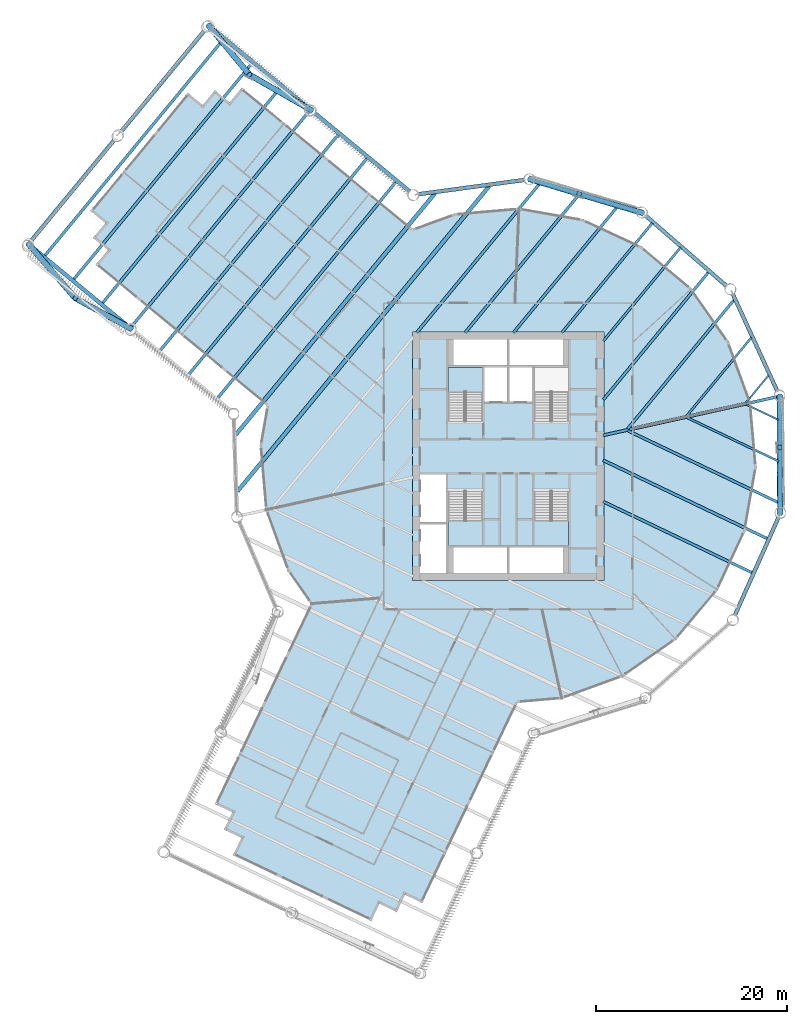
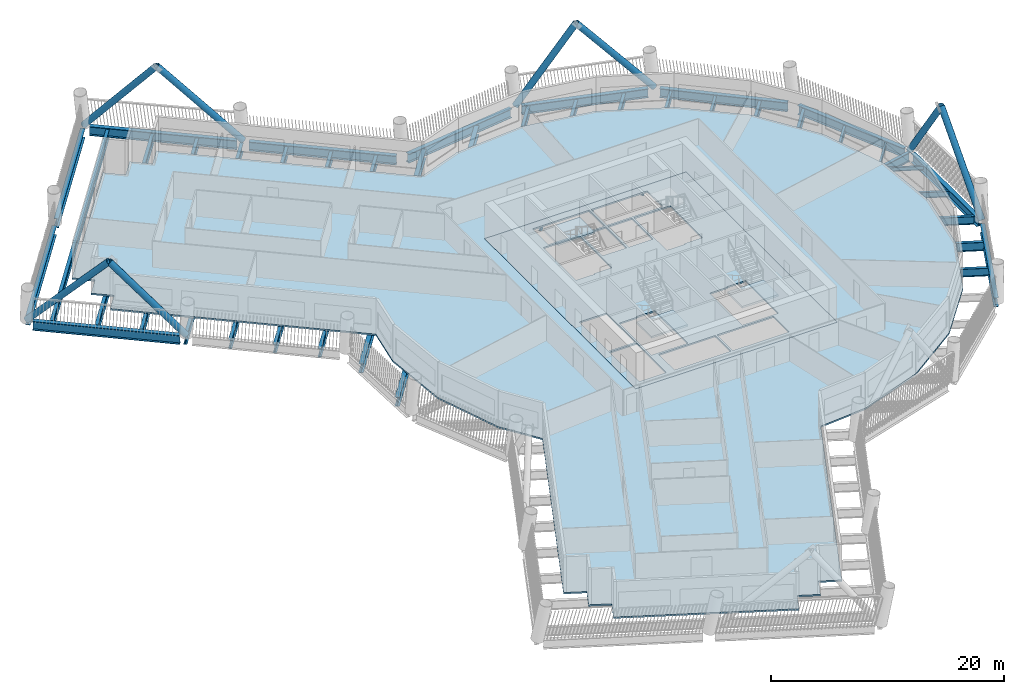
# One storey, part 2 of 22: 35 beams, 8 members, 5 slabs, 3 elements without a shape of their own.
"""IFC4 building model written with IfcOpenShell, lengths in metres."""

from ifc_helpers import new_model, si_unit, direction, frame, origin, origin_2d, place, context, subcontext, project, spatial, polyline, hollow_circle, i_section, outline, extrude, material, layer, layer_set, material_profile, profile_set, type_object, element, aggregate, save


model = new_model("IFC4")

# Units and contexts
model_context = context("Model", 3, precision=1e-05, world=origin(), true_north=direction((0.0, 1.0)))
body_context = subcontext(model_context, "Body", "Model", "MODEL_VIEW")
ifc_project = project(units=[si_unit("LENGTHUNIT", "METRE"), si_unit("AREAUNIT", "SQUARE_METRE"), si_unit("VOLUMEUNIT", "CUBIC_METRE"), si_unit("PLANEANGLEUNIT", "RADIAN"), si_unit("MASSUNIT", "GRAM", prefix="KILO")], contexts=[model_context])

# Site, building, storey
site_placement = place(None, origin())
site = spatial("IfcSite", under=ifc_project, at=site_placement, CompositionType="ELEMENT")
building_placement = place(site_placement, origin())
building = spatial("IfcBuilding", under=site, at=building_placement, Name="Tarsis Ring Headquarters", CompositionType="ELEMENT")
storey_placement = place(building_placement, frame((0.0, 0.0, 108.39990234375)))
storey = spatial("IfcBuildingStorey", under=building, at=storey_placement, Name="L24", CompositionType="ELEMENT", Elevation=108.39990234375)

# Beams
ifc_material_1 = material(Name="Structural steel S355", Category="steel")
ifc_material_profile_1 = material_profile(ifc_material_1, i_section(OverallWidth=0.177734375, OverallDepth=0.406494140625, WebThickness=0.0078125, FlangeThickness=0.0126953125, at=origin_2d()), Name="W16x40")
ifc_profile_set_1 = profile_set([ifc_material_profile_1], Name="Structural steel S355")
beam_type_1 = type_object("IfcBeamType", Name="FB Floor beam W16x40", PredefinedType="JOIST", material=ifc_profile_set_1)
beam_1_placement = place(storey_placement, frame((24.876708984375, 5.410400390625, -0.363037109375), z_axis=(0.902434341052, -0.430827413345, 0.0), x_axis=(0.430827413345, 0.902434341052, 0.0)))
element("IfcBeam", 1, at=beam_1_placement, inside=storey, type_object=beam_type_1, Name="Floor beam FB1", PredefinedType="JOIST", context=body_context, shape_type="SweptSolid", body=[
    extrude(i_section(OverallWidth=0.177734375, OverallDepth=0.406494140625, WebThickness=0.0078125, FlangeThickness=0.0126953125, at=origin_2d()), origin(), (0.0, 0.0, 1.0), 3.74169921875),
])
beam_2_placement = place(storey_placement, frame((27.217529296875, 8.47900390625, -0.363037109375), z_axis=(-0.636345102078, -0.771404505472, 0.0), x_axis=(0.771404505472, -0.636345102078, 0.0)))
element("IfcBeam", 2, at=beam_2_placement, inside=storey, type_object=beam_type_1, Name="Floor beam FB1", PredefinedType="JOIST", context=body_context, shape_type="SweptSolid", body=[
    extrude(i_section(OverallWidth=0.177734375, OverallDepth=0.406494140625, WebThickness=0.0078125, FlangeThickness=0.0126953125, at=origin_2d()), origin(), (0.0, 0.0, 1.0), 3.741943359375),
])
ifc_material_profile_2 = material_profile(ifc_material_1, i_section(OverallWidth=0.228271484375, OverallDepth=0.607177734375, WebThickness=0.01123046875, FlangeThickness=0.017333984375, at=origin_2d()), Name="W24x76")
ifc_profile_set_2 = profile_set([ifc_material_profile_2], Name="Structural steel S355")
beam_type_2 = type_object("IfcBeamType", Name="FB Floor beam W24x76", PredefinedType="JOIST", material=ifc_profile_set_2)
for number, where, z_axis, x_axis, name in (
    (3, (18.69189453125, 4.04150390625, -0.46337890625), (0.902433919119, -0.430828297148, 0.0), (0.430828297148, 0.902433919119, 0.0), "Floor beam FB4"),
    (4, (25.41015625, 12.4169921875, -0.46337890625), (-0.636341922893, -0.771407128026, 0.0), (0.771407128026, -0.636341922893, 0.0), "Floor beam FB4"),
):
    element("IfcBeam", number, at=place(storey_placement, frame(where, z_axis=z_axis, x_axis=x_axis)), inside=storey, type_object=beam_type_2, Name=name, PredefinedType="JOIST", context=body_context, shape_type="SweptSolid", body=[
        extrude(i_section(OverallWidth=0.228271484375, OverallDepth=0.607177734375, WebThickness=0.01123046875, FlangeThickness=0.017333984375, at=origin_2d()), origin(), (0.0, 0.0, 1.0), 10.621337890625),
    ])
ifc_material_profile_3 = material_profile(ifc_material_1, i_section(OverallWidth=0.2529296875, OverallDepth=0.67822265625, WebThickness=0.01171875, FlangeThickness=0.016357421875, at=origin_2d()), Name="W27x84")
ifc_profile_set_3 = profile_set([ifc_material_profile_3], Name="Structural steel S355")
beam_type_3 = type_object("IfcBeamType", Name="FB Floor beam W27x84", PredefinedType="JOIST", material=ifc_profile_set_3)
beam_3_placement = place(storey_placement, frame((18.004150390625, 21.8251953125, -0.4990234375), z_axis=(-0.636352304208, -0.771398564252, 0.0), x_axis=(0.771398564252, -0.636352304208, 0.0)))
element("IfcBeam", 5, at=beam_3_placement, inside=storey, type_object=beam_type_3, Name="Floor beam FB5", PredefinedType="JOIST", context=body_context, shape_type="SweptSolid", body=[
    extrude(i_section(OverallWidth=0.2529296875, OverallDepth=0.67822265625, WebThickness=0.01171875, FlangeThickness=0.016357421875, at=origin_2d()), origin(), (0.0, 0.0, 1.0), 12.67822265625),
])
ifc_material_profile_4 = material_profile(ifc_material_1, i_section(OverallWidth=0.2666015625, OverallDepth=0.7568359375, WebThickness=0.013916015625, FlangeThickness=0.019287109375, at=origin_2d()), Name="W30x108")
ifc_profile_set_4 = profile_set([ifc_material_profile_4], Name="Structural steel S355")
beam_type_4 = type_object("IfcBeamType", Name="FB Floor beam W30x108", PredefinedType="JOIST", material=ifc_profile_set_4)
beam_4_placement = place(storey_placement, frame((15.06005859375, 24.385009765625, -0.538330078125), z_axis=(-0.636344581083, -0.771404935249, 0.0), x_axis=(0.771404935249, -0.636344581083, 0.0)))
element("IfcBeam", 6, at=beam_4_placement, inside=storey, type_object=beam_type_4, Name="Floor beam FB6", PredefinedType="JOIST", context=body_context, shape_type="SweptSolid", body=[
    extrude(i_section(OverallWidth=0.2666015625, OverallDepth=0.7568359375, WebThickness=0.013916015625, FlangeThickness=0.019287109375, at=origin_2d()), origin(), (0.0, 0.0, 1.0), 14.85888671875),
])
ifc_material_profile_5 = material_profile(ifc_material_1, i_section(OverallWidth=0.2919921875, OverallDepth=0.835693359375, WebThickness=0.013916015625, FlangeThickness=0.018798828125, at=origin_2d()), Name="W33x118")
ifc_profile_set_5 = profile_set([ifc_material_profile_5], Name="Structural steel S355")
beam_type_5 = type_object("IfcBeamType", Name="FB Floor beam W33x118", PredefinedType="JOIST", material=ifc_profile_set_5)
beam_5_placement = place(storey_placement, frame((12.5068359375, 2.67236328125, -0.57763671875), z_axis=(0.90243925268, -0.430817125033, 0.0), x_axis=(0.430817125033, 0.90243925268, 0.0)))
element("IfcBeam", 7, at=beam_5_placement, inside=storey, type_object=beam_type_5, Name="Floor beam FB7", PredefinedType="JOIST", context=body_context, shape_type="SweptSolid", body=[
    extrude(i_section(OverallWidth=0.2919921875, OverallDepth=0.835693359375, WebThickness=0.013916015625, FlangeThickness=0.018798828125, at=origin_2d()), origin(), (0.0, 0.0, 1.0), 17.50048828125),
])
beam_6_placement = place(storey_placement, frame((9.90966796875, -4.73095703125, -0.57763671875), z_axis=(0.902432566249, -0.430831130923, 0.0), x_axis=(0.430831130923, 0.902432566249, 0.0)))
element("IfcBeam", 8, at=beam_6_placement, inside=storey, type_object=beam_type_5, Name="Floor beam FB7", PredefinedType="JOIST", context=body_context, shape_type="SweptSolid", body=[
    extrude(i_section(OverallWidth=0.2919921875, OverallDepth=0.835693359375, WebThickness=0.013916015625, FlangeThickness=0.018798828125, at=origin_2d()), origin(), (0.0, 0.0, 1.0), 17.311767578125),
])
beam_7_placement = place(storey_placement, frame((23.60302734375, 16.35498046875, -0.57763671875), z_axis=(-0.63634124315, -0.771407688753, 0.0), x_axis=(0.771407688753, -0.63634124315, 0.0)))
element("IfcBeam", 9, at=beam_7_placement, inside=storey, type_object=beam_type_5, Name="Floor beam FB7", PredefinedType="JOIST", context=body_context, shape_type="SweptSolid", body=[
    extrude(i_section(OverallWidth=0.2919921875, OverallDepth=0.835693359375, WebThickness=0.013916015625, FlangeThickness=0.018798828125, at=origin_2d()), origin(), (0.0, 0.0, 1.0), 17.500732421875),
])
beam_8_placement = place(storey_placement, frame((20.9482421875, 19.265380859375, -0.57763671875), z_axis=(-0.636353363169, -0.771397690678, 0.0), x_axis=(0.771397690678, -0.636353363169, 0.0)))
element("IfcBeam", 10, at=beam_8_placement, inside=storey, type_object=beam_type_5, Name="Floor beam FB7", PredefinedType="JOIST", context=body_context, shape_type="SweptSolid", body=[
    extrude(i_section(OverallWidth=0.2919921875, OverallDepth=0.835693359375, WebThickness=0.013916015625, FlangeThickness=0.018798828125, at=origin_2d()), origin(), (0.0, 0.0, 1.0), 17.3046875),
])
beam_9_placement = place(storey_placement, frame((11.417236328125, 26.09765625, -0.57763671875), z_axis=(-0.636354886042, -0.771396434404, 0.0), x_axis=(0.771396434404, -0.636354886042, 0.0)))
element("IfcBeam", 11, at=beam_9_placement, inside=storey, type_object=beam_type_5, Name="Floor beam FB7", PredefinedType="JOIST", context=body_context, shape_type="SweptSolid", body=[
    extrude(i_section(OverallWidth=0.2919921875, OverallDepth=0.835693359375, WebThickness=0.013916015625, FlangeThickness=0.018798828125, at=origin_2d()), origin(), (0.0, 0.0, 1.0), 17.0791015625),
])
ifc_material_profile_6 = material_profile(ifc_material_1, i_section(OverallWidth=0.3046875, OverallDepth=0.904296875, WebThickness=0.01513671875, FlangeThickness=0.02001953125, at=origin_2d()), Name="W36x135")
ifc_profile_set_6 = profile_set([ifc_material_profile_6], Name="Structural steel S355")
beam_type_6 = type_object("IfcBeamType", Name="FB Floor beam W36x135", PredefinedType="JOIST", material=ifc_profile_set_6)
beam_10_placement = place(storey_placement, frame((9.90966796875, -0.409423828125, -0.612060546875), z_axis=(0.902437493515, -0.430820809965, 0.0), x_axis=(0.430820809965, 0.902437493515, 0.0)))
element("IfcBeam", 12, at=beam_10_placement, inside=storey, type_object=beam_type_6, Name="Floor beam FB8", PredefinedType="JOIST", context=body_context, shape_type="SweptSolid", body=[
    extrude(i_section(OverallWidth=0.3046875, OverallDepth=0.904296875, WebThickness=0.01513671875, FlangeThickness=0.02001953125, at=origin_2d()), origin(), (0.0, 0.0, 1.0), 19.072509765625),
])
beam_11_placement = place(storey_placement, frame((7.362548828125, 27.311279296875, -0.612060546875), z_axis=(-0.636348880861, -0.771401388271, 0.0), x_axis=(0.771401388271, -0.636348880861, 0.0)))
element("IfcBeam", 13, at=beam_11_placement, inside=storey, type_object=beam_type_6, Name="Floor beam FB8", PredefinedType="JOIST", context=body_context, shape_type="SweptSolid", body=[
    extrude(i_section(OverallWidth=0.3046875, OverallDepth=0.904296875, WebThickness=0.01513671875, FlangeThickness=0.02001953125, at=origin_2d()), origin(), (0.0, 0.0, 1.0), 18.65234375),
])
beam_12_placement = place(storey_placement, frame((3.30810546875, 28.52490234375, -0.612060546875), z_axis=(-0.636350992761, -0.771399646106, 0.0), x_axis=(0.771399646106, -0.636350992761, 0.0)))
element("IfcBeam", 14, at=beam_12_placement, inside=storey, type_object=beam_type_6, Name="Floor beam FB8", PredefinedType="JOIST", context=body_context, shape_type="SweptSolid", body=[
    extrude(i_section(OverallWidth=0.3046875, OverallDepth=0.904296875, WebThickness=0.01513671875, FlangeThickness=0.02001953125, at=origin_2d()), origin(), (0.0, 0.0, 1.0), 20.2255859375),
])
ifc_material_profile_7 = material_profile(ifc_material_1, i_section(OverallWidth=0.309814453125, OverallDepth=0.949951171875, WebThickness=0.0244140625, FlangeThickness=0.0439453125, at=origin_2d()), Name="W36x256")
ifc_profile_set_7 = profile_set([ifc_material_profile_7], Name="Structural steel S355")
beam_type_7 = type_object("IfcBeamType", Name="FB Floor beam W36x256", PredefinedType="JOIST", material=ifc_profile_set_7)
beam_13_placement = place(storey_placement, frame((-11.712646484375, 28.70263671875, -0.635009765625), z_axis=(-0.636349080074, -0.771401223935, 0.0), x_axis=(0.771401223935, -0.636349080074, 0.0)))
element("IfcBeam", 15, at=beam_13_placement, inside=storey, type_object=beam_type_7, Name="Floor beam FB11", PredefinedType="JOIST", context=body_context, shape_type="SweptSolid", body=[
    extrude(i_section(OverallWidth=0.309814453125, OverallDepth=0.949951171875, WebThickness=0.0244140625, FlangeThickness=0.0439453125, at=origin_2d()), origin(), (0.0, 0.0, 1.0), 29.3759765625),
])
beam_14_placement = place(storey_placement, frame((-14.72119140625, 31.184326171875, -0.635009765625), z_axis=(-0.636344134551, -0.7714053036, 0.0), x_axis=(0.7714053036, -0.636344134551, 0.0)))
element("IfcBeam", 16, at=beam_14_placement, inside=storey, type_object=beam_type_7, Name="Floor beam FB11", PredefinedType="JOIST", context=body_context, shape_type="SweptSolid", body=[
    extrude(i_section(OverallWidth=0.309814453125, OverallDepth=0.949951171875, WebThickness=0.0244140625, FlangeThickness=0.0439453125, at=origin_2d()), origin(), (0.0, 0.0, 1.0), 29.375732421875),
])
beam_15_placement = place(storey_placement, frame((-17.729736328125, 33.666015625, -0.635009765625), z_axis=(-0.636348214239, -0.771401938185, 0.0), x_axis=(0.771401938185, -0.636348214239, 0.0)))
element("IfcBeam", 17, at=beam_15_placement, inside=storey, type_object=beam_type_7, Name="Floor beam FB11", PredefinedType="JOIST", context=body_context, shape_type="SweptSolid", body=[
    extrude(i_section(OverallWidth=0.309814453125, OverallDepth=0.949951171875, WebThickness=0.0244140625, FlangeThickness=0.0439453125, at=origin_2d()), origin(), (0.0, 0.0, 1.0), 29.37548828125),
])
beam_16_placement = place(storey_placement, frame((-20.738037109375, 36.14794921875, -0.635009765625), z_axis=(-0.636349080074, -0.771401223935, 0.0), x_axis=(0.771401223935, -0.636349080074, 0.0)))
element("IfcBeam", 18, at=beam_16_placement, inside=storey, type_object=beam_type_7, Name="Floor beam FB11", PredefinedType="JOIST", context=body_context, shape_type="SweptSolid", body=[
    extrude(i_section(OverallWidth=0.309814453125, OverallDepth=0.949951171875, WebThickness=0.0244140625, FlangeThickness=0.0439453125, at=origin_2d()), origin(), (0.0, 0.0, 1.0), 29.3759765625),
])
for number, where, z_axis, x_axis, name in (
    (19, (-23.74658203125, 38.629638671875, -0.635009765625), (-0.636344134551, -0.7714053036, 0.0), (0.7714053036, -0.636344134551, 0.0), "Floor beam FB11"),
    (20, (-26.755126953125, 41.111328125, -0.635009765625), (-0.636344134551, -0.7714053036, 0.0), (0.7714053036, -0.636344134551, 0.0), "Floor beam FB11"),
    (21, (-29.763427734375, 43.593017578125, -0.635009765625), (-0.63635315975, -0.771397858486, 0.0), (0.771397858486, -0.63635315975, 0.0), "Floor beam FB11"),
):
    element("IfcBeam", number, at=place(storey_placement, frame(where, z_axis=z_axis, x_axis=x_axis)), inside=storey, type_object=beam_type_7, Name=name, PredefinedType="JOIST", context=body_context, shape_type="SweptSolid", body=[
        extrude(i_section(OverallWidth=0.309814453125, OverallDepth=0.949951171875, WebThickness=0.0244140625, FlangeThickness=0.0439453125, at=origin_2d()), origin(), (0.0, 0.0, 1.0), 29.375732421875),
    ])
beam_type_8 = type_object("IfcBeamType", Name="FB Floor beam W36x256 spine", PredefinedType="BEAM", material=ifc_profile_set_7)
beam_17_placement = place(storey_placement, frame((28.248046875, 6.251953125, -0.635009765625), z_axis=(-0.976372887808, -0.216092535627, 0.0), x_axis=(0.216092535627, -0.976372887808, 0.0)))
element("IfcBeam", 22, at=beam_17_placement, inside=storey, type_object=beam_type_8, Name="Floor beam SB11", PredefinedType="BEAM", context=body_context, shape_type="SweptSolid", body=[
    extrude(i_section(OverallWidth=0.309814453125, OverallDepth=0.949951171875, WebThickness=0.0244140625, FlangeThickness=0.0439453125, at=origin_2d()), origin(), (0.0, 0.0, 1.0), 18.78955078125),
])
ifc_material_profile_8 = material_profile(ifc_material_1, i_section(OverallWidth=0.42431640625, OverallDepth=0.947509765625, WebThickness=0.02392578125, FlangeThickness=0.042724609375, at=origin_2d()), Name="W36x302")
ifc_profile_set_8 = profile_set([ifc_material_profile_8], Name="Structural steel S355")
beam_type_9 = type_object("IfcBeamType", Name="FB Floor beam W36x302", PredefinedType="JOIST", material=ifc_profile_set_8)
beam_18_placement = place(storey_placement, frame((-1.983154296875, 28.23974609375, -0.633544921875), z_axis=(-0.636347298571, -0.77140269354, 0.0), x_axis=(0.77140269354, -0.636347298571, 0.0)))
element("IfcBeam", 23, at=beam_18_placement, inside=storey, type_object=beam_type_9, Name="Floor beam FB12", PredefinedType="JOIST", context=body_context, shape_type="SweptSolid", body=[
    extrude(i_section(OverallWidth=0.42431640625, OverallDepth=0.947509765625, WebThickness=0.02392578125, FlangeThickness=0.042724609375, at=origin_2d()), origin(), (0.0, 0.0, 1.0), 41.35302734375),
])
beam_19_placement = place(storey_placement, frame((-7.67138671875, 27.47265625, -0.633544921875), z_axis=(-0.636350973437, -0.771399662046, 0.0), x_axis=(0.771399662046, -0.636350973437, 0.0)))
element("IfcBeam", 24, at=beam_19_placement, inside=storey, type_object=beam_type_9, Name="Floor beam FB12", PredefinedType="JOIST", context=body_context, shape_type="SweptSolid", body=[
    extrude(i_section(OverallWidth=0.42431640625, OverallDepth=0.947509765625, WebThickness=0.02392578125, FlangeThickness=0.042724609375, at=origin_2d()), origin(), (0.0, 0.0, 1.0), 32.704833984375),
])

# Members
ifc_material_profile_9 = material_profile(ifc_material_1, hollow_circle(Radius=0.3046875, WallThickness=0.02490234375, at=origin_2d()), Name="CHS 610x25")
ifc_profile_set_9 = profile_set([ifc_material_profile_9], Name="Structural steel S355")
member_type = type_object("IfcMemberType", Name="XD X brace CHS 610x25", PredefinedType="BRACE", material=ifc_profile_set_9)
member_1_placement = place(storey_placement, frame((28.42822265625, -5.971435546875, 0.0), z_axis=(-0.004595633534, 0.662427748001, 0.749111713185), x_axis=(-0.999975935986, -0.006937394997, 0.0)))
element("IfcMember", 25, at=member_1_placement, inside=storey, type_object=member_type, Name="X brace XD1", PredefinedType="BRACE", context=body_context, shape_type="SweptSolid", body=[
    extrude(hollow_circle(Radius=0.3046875, WallThickness=0.02490234375, at=origin_2d()), origin(), (0.0, 0.0, 1.0), 10.412353515625),
])
member_2_placement = place(storey_placement, frame((28.362060546875, 6.27734375, 0.0), z_axis=(0.00193572606, -0.565722393359, 0.824593491738), x_axis=(0.999994146074, 0.003421668915, 0.0)))
element("IfcMember", 26, at=member_2_placement, inside=storey, type_object=member_type, Name="X brace XD1", PredefinedType="BRACE", context=body_context, shape_type="SweptSolid", body=[
    extrude(hollow_circle(Radius=0.3046875, WallThickness=0.02490234375, at=origin_2d()), origin(), (0.0, 0.0, 1.0), 9.459228515625),
])
member_3_placement = place(storey_placement, frame((14.009765625, 25.44677734375, 0.0), z_axis=(-0.634906467038, 0.188985380173, 0.74911835126), x_axis=(-0.285288432581, -0.958441709357, 0.0)))
element("IfcMember", 27, at=member_3_placement, inside=storey, type_object=member_type, Name="X brace XD1", PredefinedType="BRACE", context=body_context, shape_type="SweptSolid", body=[
    extrude(hollow_circle(Radius=0.3046875, WallThickness=0.02490234375, at=origin_2d()), origin(), (0.0, 0.0, 1.0), 10.412353515625),
])
member_4_placement = place(storey_placement, frame((2.275390625, 28.959228515625, 0.0), z_axis=(0.541642874206, -0.16329812566, 0.824594881731), x_axis=(0.288653510029, 0.957433627542, 0.0)))
element("IfcMember", 28, at=member_4_placement, inside=storey, type_object=member_type, Name="X brace XD1", PredefinedType="BRACE", context=body_context, shape_type="SweptSolid", body=[
    extrude(hollow_circle(Radius=0.3046875, WallThickness=0.02490234375, at=origin_2d()), origin(), (0.0, 0.0, 1.0), 9.459228515625),
])
member_5_placement = place(storey_placement, frame((-20.587890625, 36.169189453125, 0.0), z_axis=(-0.598934981196, 0.343351649145, 0.723454582769), x_axis=(-0.497342969541, -0.867554015983, 0.0)))
element("IfcMember", 29, at=member_5_placement, inside=storey, type_object=member_type, Name="X brace XD1", PredefinedType="BRACE", context=body_context, shape_type="SweptSolid", body=[
    extrude(hollow_circle(Radius=0.3046875, WallThickness=0.02490234375, at=origin_2d()), origin(), (0.0, 0.0, 1.0), 10.78173828125),
])
member_6_placement = place(storey_placement, frame((-31.31201171875, 45.015869140625, 0.0), z_axis=(0.41536352113, -0.500855772532, 0.759352777328), x_axis=(0.769743076244, 0.638353817702, 0.0)))
element("IfcMember", 30, at=member_6_placement, inside=storey, type_object=member_type, Name="X brace XD1", PredefinedType="BRACE", context=body_context, shape_type="SweptSolid", body=[
    extrude(hollow_circle(Radius=0.3046875, WallThickness=0.02490234375, at=origin_2d()), origin(), (0.0, 0.0, 1.0), 10.27197265625),
])
member_7_placement = place(storey_placement, frame((-50.14794921875, 22.182373046875, 0.0), z_axis=(0.453114668058, -0.522897626263, 0.721986959743), x_axis=(0.755734341657, 0.654878313002, 0.0)))
element("IfcMember", 31, at=member_7_placement, inside=storey, type_object=member_type, Name="X brace XD1", PredefinedType="BRACE", context=body_context, shape_type="SweptSolid", body=[
    extrude(hollow_circle(Radius=0.3046875, WallThickness=0.02490234375, at=origin_2d()), origin(), (0.0, 0.0, 1.0), 10.803466796875),
])
member_8_placement = place(storey_placement, frame((-39.423828125, 13.335693359375, 0.0), z_axis=(-0.568728811161, 0.311984973394, 0.761060389017), x_axis=(-0.480952821023, -0.87674647644, 0.0)))
element("IfcMember", 32, at=member_8_placement, inside=storey, type_object=member_type, Name="X brace XD1", PredefinedType="BRACE", context=body_context, shape_type="SweptSolid", body=[
    extrude(hollow_circle(Radius=0.3046875, WallThickness=0.02490234375, at=origin_2d()), origin(), (0.0, 0.0, 1.0), 10.2490234375),
])

# Beams
beam_type_10 = type_object("IfcBeamType", Name="XG Ring girder W36x302", PredefinedType="BEAM", material=ifc_profile_set_8)
for number, where, z_axis, x_axis, name in (
    (33, (23.653564453125, -16.677978515625, -0.4736328125), (0.407287205764, 0.913300132498, 0.0), (-0.913300132498, 0.407287205764, 0.0), "Ring girder XG1"),
    (34, (28.42529296875, -5.445556640625, -0.4736328125), (-0.005385526852, 0.999985497945, 0.0), (-0.999985497945, -0.005385526852, 0.0), "Ring girder XG1"),
):
    element("IfcBeam", number, at=place(storey_placement, frame(where, z_axis=z_axis, x_axis=x_axis)), inside=storey, type_object=beam_type_10, Name=name, PredefinedType="BEAM", context=body_context, shape_type="SweptSolid", body=[
        extrude(i_section(OverallWidth=0.42431640625, OverallDepth=0.947509765625, WebThickness=0.02392578125, FlangeThickness=0.042724609375, at=origin_2d()), origin(), (0.0, 0.0, 1.0), 11.197265625),
    ])
beam_20_placement = place(storey_placement, frame((28.142822265625, 6.755126953125, -0.4736328125), z_axis=(-0.417093852581, 0.908863421059, 0.0), x_axis=(-0.908863421059, -0.417093852581, 0.0)))
element("IfcBeam", 35, at=beam_20_placement, inside=storey, type_object=beam_type_10, Name="Ring girder XG1", PredefinedType="BEAM", context=body_context, shape_type="SweptSolid", body=[
    extrude(i_section(OverallWidth=0.42431640625, OverallDepth=0.947509765625, WebThickness=0.02392578125, FlangeThickness=0.042724609375, at=origin_2d()), origin(), (0.0, 0.0, 1.0), 11.197509765625),
])
for number, where, z_axis, x_axis, name in (
    (36, (22.8564453125, 17.7548828125, -0.4736328125), (-0.754643542201, 0.656134989323, 0.0), (-0.656134989323, -0.754643542201, 0.0), "Ring girder XG1"),
    (37, (13.506103515625, 25.59765625, -0.4736328125), (-0.958002533065, 0.286759736785, 0.0), (-0.286759736785, -0.958002533065, 0.0), "Ring girder XG1"),
    (38, (1.75439453125, 28.888916015625, -0.4736328125), (-0.991033753435, -0.133611749303, 0.0), (0.133611749303, -0.991033753435, 0.0), "Ring girder XG1"),
):
    element("IfcBeam", number, at=place(storey_placement, frame(where, z_axis=z_axis, x_axis=x_axis)), inside=storey, type_object=beam_type_10, Name=name, PredefinedType="BEAM", context=body_context, shape_type="SweptSolid", body=[
        extrude(i_section(OverallWidth=0.42431640625, OverallDepth=0.947509765625, WebThickness=0.02392578125, FlangeThickness=0.042724609375, at=origin_2d()), origin(), (0.0, 0.0, 1.0), 11.197265625),
    ])
for number, where, z_axis, x_axis, name in (
    (39, (-10.269287109375, 27.6572265625, -0.4736328125), (-0.771404053496, 0.636345649981, 0.0), (-0.636345649981, -0.771404053496, 0.0), "Ring girder XG1"),
    (40, (-20.993408203125, 36.50390625, -0.4736328125), (-0.771404053496, 0.636345649981, 0.0), (-0.636345649981, -0.771404053496, 0.0), "Ring girder XG1"),
):
    element("IfcBeam", number, at=place(storey_placement, frame(where, z_axis=z_axis, x_axis=x_axis)), inside=storey, type_object=beam_type_10, Name=name, PredefinedType="BEAM", context=body_context, shape_type="SweptSolid", body=[
        extrude(i_section(OverallWidth=0.42431640625, OverallDepth=0.947509765625, WebThickness=0.02392578125, FlangeThickness=0.042724609375, at=origin_2d()), origin(), (0.0, 0.0, 1.0), 12.8505859375),
    ])
for number, where, z_axis, x_axis, name in (
    (41, (-31.646728515625, 44.6103515625, -0.4736328125), (-0.636342538775, -0.771406619978, 0.0), (0.771406619978, -0.636342538775, 0.0), "Ring girder XG1"),
    (42, (-41.064697265625, 33.193603515625, -0.4736328125), (-0.636342538775, -0.771406619978, 0.0), (0.771406619978, -0.636342538775, 0.0), "Ring girder XG1"),
):
    element("IfcBeam", number, at=place(storey_placement, frame(where, z_axis=z_axis, x_axis=x_axis)), inside=storey, type_object=beam_type_10, Name=name, PredefinedType="BEAM", context=body_context, shape_type="SweptSolid", body=[
        extrude(i_section(OverallWidth=0.42431640625, OverallDepth=0.947509765625, WebThickness=0.02392578125, FlangeThickness=0.042724609375, at=origin_2d()), origin(), (0.0, 0.0, 1.0), 13.74853515625),
    ])
beam_21_placement = place(storey_placement, frame((-49.742431640625, 21.847900390625, -0.4736328125), z_axis=(0.771404053496, -0.636345649981, 0.0), x_axis=(0.636345649981, 0.771404053496, 0.0)))
element("IfcBeam", 43, at=beam_21_placement, inside=storey, type_object=beam_type_10, Name="Ring girder XG1", PredefinedType="BEAM", context=body_context, shape_type="SweptSolid", body=[
    extrude(i_section(OverallWidth=0.42431640625, OverallDepth=0.947509765625, WebThickness=0.02392578125, FlangeThickness=0.042724609375, at=origin_2d()), origin(), (0.0, 0.0, 1.0), 12.8505859375),
])

# Slab
ifc_material_2 = material(Name="Concrete C40/50", Category="concrete")
ifc_layer_1 = layer(ifc_material_2, 0.159912109375)
ifc_layer_set_1 = layer_set([ifc_layer_1], Name="Core floor slab 160 C40/50")
slab_type_1 = type_object("IfcSlabType", Name="Core floor slab 160 C40/50", PredefinedType="FLOOR", material=ifc_layer_set_1)
slab_1_placement = place(storey_placement, frame((0.0, 0.0, -0.159912109375)))
element("IfcSlab", 44, at=slab_1_placement, inside=storey, type_object=slab_type_1, Name="L24 core floor slab", PredefinedType="FLOOR", context=body_context, shape_type="SweptSolid", body=[
    extrude(outline(polyline([(-10.0, -13.0), (10.0, -13.0), (10.0, 13.0), (-10.0, 13.0), (-10.0, -13.0)]), holes=[polyline([(-2.5, 5.699951171875), (-0.10009765625, 5.699951171875), (-0.10009765625, 9.300048828125), (-2.5, 9.300048828125), (-2.5, 5.699951171875)]), polyline([(0.10009765625, 5.699951171875), (2.5, 5.699951171875), (2.5, 9.300048828125), (0.10009765625, 9.300048828125), (0.10009765625, 5.699951171875)]), polyline([(-9.199951171875, -12.199951171875), (-6.5, -12.199951171875), (-6.5, -7.10009765625), (-9.199951171875, -7.10009765625), (-9.199951171875, -12.199951171875)]), polyline([(-9.199951171875, -6.89990234375), (-6.5, -6.89990234375), (-6.5, -1.89990234375), (-9.199951171875, -1.89990234375), (-9.199951171875, -6.89990234375)]), polyline([(-5.699951171875, 9.5), (-0.10009765625, 9.5), (-0.10009765625, 12.199951171875), (-5.699951171875, 12.199951171875), (-5.699951171875, 9.5)]), polyline([(0.10009765625, 9.5), (5.699951171875, 9.5), (5.699951171875, 12.199951171875), (0.10009765625, 12.199951171875), (0.10009765625, 9.5)]), polyline([(-5.699951171875, -12.199951171875), (-0.10009765625, -12.199951171875), (-0.10009765625, -9.5), (-5.699951171875, -9.5), (-5.699951171875, -12.199951171875)]), polyline([(0.10009765625, -12.199951171875), (5.699951171875, -12.199951171875), (5.699951171875, -9.5), (0.10009765625, -9.5), (0.10009765625, -12.199951171875)]), polyline([(-2.699951171875, 3.760009765625), (-2.699951171875, 9.300048828125), (-6.300048828125, 9.300048828125), (-6.300048828125, 3.659912109375), (-4.4599609375, 3.659912109375), (-4.4599609375, 3.760009765625), (-2.699951171875, 3.760009765625)]), polyline([(6.300048828125, 3.760009765625), (6.300048828125, 9.300048828125), (2.699951171875, 9.300048828125), (2.699951171875, 3.659912109375), (4.5400390625, 3.659912109375), (4.5400390625, 3.760009765625), (6.300048828125, 3.760009765625)]), polyline([(-6.300048828125, -3.760009765625), (-6.300048828125, -9.300048828125), (-2.699951171875, -9.300048828125), (-2.699951171875, -3.659912109375), (-4.5400390625, -3.659912109375), (-4.5400390625, -3.760009765625), (-6.300048828125, -3.760009765625)]), polyline([(2.699951171875, -3.760009765625), (2.699951171875, -9.300048828125), (6.300048828125, -9.300048828125), (6.300048828125, -3.659912109375), (4.4599609375, -3.659912109375), (4.4599609375, -3.760009765625), (2.699951171875, -3.760009765625)])]), origin(), (0.0, 0.0, 1.0), 0.159912109375),
])

# Stair, slab
ifc_material_3 = material(Name="Core stair 1760")
stair_type = type_object("IfcStairType", Name="Core stair 1760", PredefinedType="HALF_TURN_STAIR", material=ifc_material_3)
stair_1_placement = place(storey_placement, origin())
stair_1 = element("IfcStair", 45, at=stair_1_placement, inside=storey, type_object=stair_type, Name="L24 Firefighting stair", PredefinedType="HALF_TURN_STAIR")
ifc_layer_2 = layer(ifc_material_2, 0.199951171875)
ifc_layer_set_2 = layer_set([ifc_layer_2], Name="Core stair landing 200")
slab_type_2 = type_object("IfcSlabType", Name="Core stair landing 200", PredefinedType="LANDING", material=ifc_layer_set_2)
slab_2_placement = place(storey_placement, frame((0.0, 0.0, 1.75)))
slab_2 = element("IfcSlab", 46, at=slab_2_placement, type_object=slab_type_2, Name="Stair ST1 landing 1", PredefinedType="LANDING", context=body_context, shape_type="SweptSolid", body=[
    extrude(outline(polyline([(-2.699951171875, 6.739990234375), (-2.699951171875, 9.300048828125), (-6.300048828125, 9.300048828125), (-6.300048828125, 6.739990234375), (-2.699951171875, 6.739990234375)])), origin(), (0.0, 0.0, 1.0), 0.2001953125),
])
aggregate(stair_1, [slab_2])

stair_2_placement = place(storey_placement, origin())
stair_2 = element("IfcStair", 47, at=stair_2_placement, inside=storey, type_object=stair_type, Name="L24 Exit stair C", PredefinedType="HALF_TURN_STAIR")
slab_3_placement = place(storey_placement, frame((0.0, 0.0, 1.75)))
slab_3 = element("IfcSlab", 48, at=slab_3_placement, type_object=slab_type_2, Name="Stair ST3 landing 1", PredefinedType="LANDING", context=body_context, shape_type="SweptSolid", body=[
    extrude(outline(polyline([(-6.300048828125, -6.739990234375), (-6.300048828125, -9.300048828125), (-2.699951171875, -9.300048828125), (-2.699951171875, -6.739990234375), (-6.300048828125, -6.739990234375)])), origin(), (0.0, 0.0, 1.0), 0.2001953125),
])
aggregate(stair_2, [slab_3])

stair_3_placement = place(storey_placement, origin())
stair_3 = element("IfcStair", 49, at=stair_3_placement, inside=storey, type_object=stair_type, Name="L24 Exit stair D", PredefinedType="HALF_TURN_STAIR")
slab_4_placement = place(storey_placement, frame((0.0, 0.0, 1.75)))
slab_4 = element("IfcSlab", 50, at=slab_4_placement, type_object=slab_type_2, Name="Stair ST4 landing 1", PredefinedType="LANDING", context=body_context, shape_type="SweptSolid", body=[
    extrude(outline(polyline([(2.699951171875, -6.739990234375), (2.699951171875, -9.300048828125), (6.300048828125, -9.300048828125), (6.300048828125, -6.739990234375), (2.699951171875, -6.739990234375)])), origin(), (0.0, 0.0, 1.0), 0.2001953125),
])
aggregate(stair_3, [slab_4])

# Slab
ifc_material_4 = material(Name="Concrete C35/45", Category="concrete")
ifc_layer_3 = layer(ifc_material_4, 0.159912109375)
ifc_layer_set_3 = layer_set([ifc_layer_3], Name="FS Composite floor slab 160")
slab_type_3 = type_object("IfcSlabType", Name="FS Composite floor slab 160", PredefinedType="FLOOR", material=ifc_layer_set_3)
slab_5_placement = place(storey_placement, frame((0.0, 0.0, -0.159912109375)))
element("IfcSlab", 51, at=slab_5_placement, inside=storey, type_object=slab_type_3, Name="Floor slab L24", PredefinedType="FLOOR", context=body_context, shape_type="SweptSolid", body=[
    extrude(outline(polyline([(-25.245849609375, 5.269775390625), (-25.974853515625, 1.14306640625), (-25.3857421875, -5.61865234375), (-23.06640625, -11.997314453125), (-20.6640625, -15.430908203125), (-30.647216796875, -36.342041015625), (-28.84228515625, -37.203857421875), (-29.7041015625, -39.008544921875), (-27.899169921875, -39.870361328125), (-28.7607421875, -41.675048828125), (-14.32177734375, -48.568359375), (-13.460205078125, -46.763427734375), (-11.6552734375, -47.625244140625), (-10.793701171875, -45.8203125), (-8.98876953125, -46.681884765625), (0.9853515625, -25.789306640625), (5.61865234375, -25.3857421875), (11.997314453125, -23.06640625), (17.55859375, -19.17529296875), (21.92333984375, -13.9775390625), (24.7939453125, -7.826904296875), (25.974853515625, -1.14306640625), (25.3857421875, 5.61865234375), (23.06640625, 11.997314453125), (19.17529296875, 17.55859375), (13.9775390625, 21.92333984375), (7.826904296875, 24.7939453125), (1.14306640625, 25.974853515625), (-5.61865234375, 25.3857421875), (-9.9892578125, 23.796630859375), (-27.848388671875, 38.52880859375), (-29.12109375, 36.986083984375), (-30.663818359375, 38.2587890625), (-31.9365234375, 36.7158203125), (-33.479248046875, 37.988525390625), (-43.660888671875, 25.646240234375), (-42.1181640625, 24.37353515625), (-43.390869140625, 22.83056640625), (-41.847900390625, 21.557861328125), (-43.12060546875, 20.01513671875), (-25.245849609375, 5.269775390625)]), holes=[polyline([(-10.0, -13.0), (-10.0, 13.0), (10.0, 13.0), (10.0, -13.0), (-10.0, -13.0)])]), origin(), (0.0, 0.0, 1.0), 0.159912109375),
])

save(model, "model.ifc")
